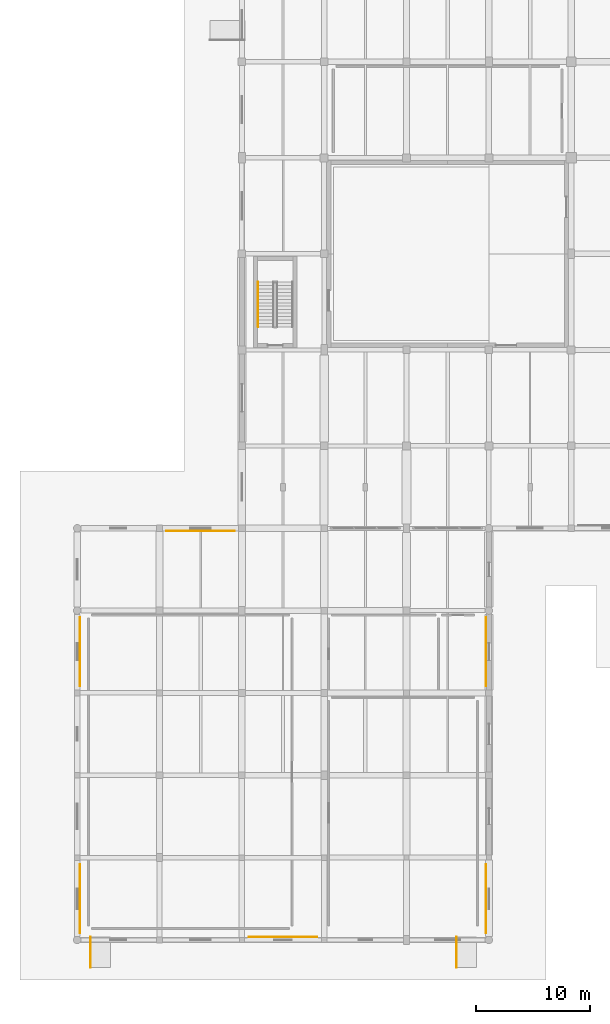
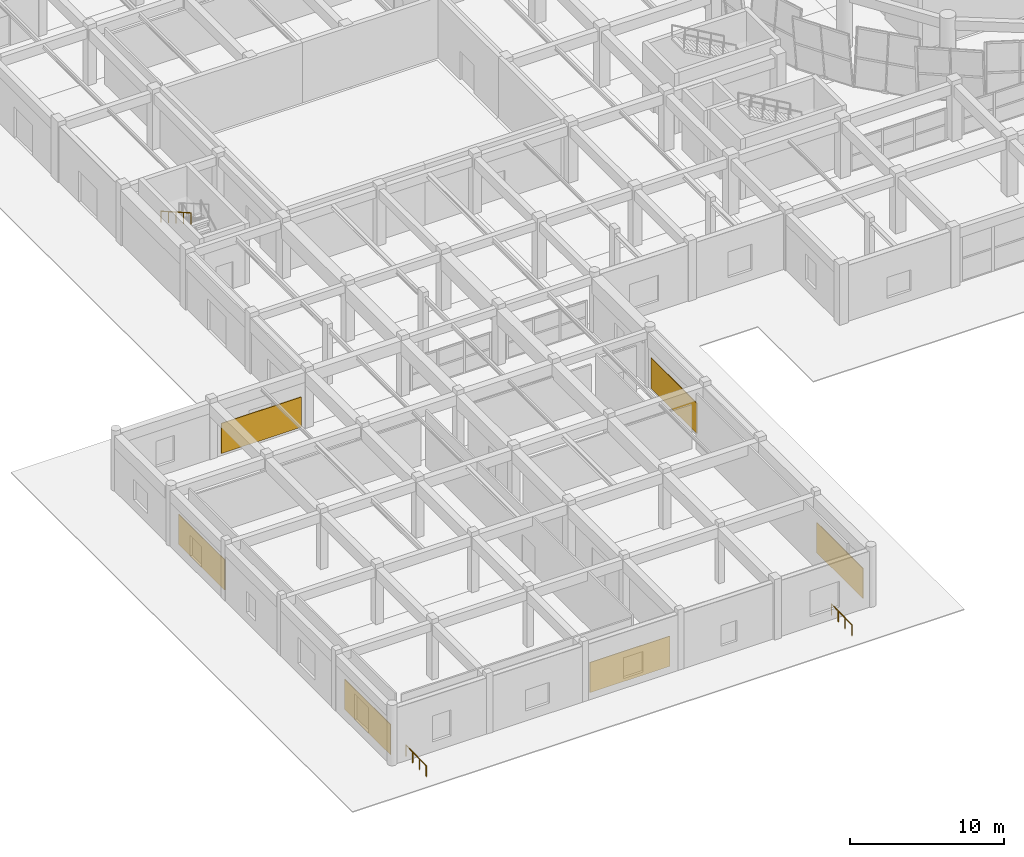
# One storey, part 57 of 72: 6 coverings, 3 railings.
"""IFC4 building model written with IfcOpenShell, lengths in metres."""

from ifc_helpers import new_model, si_unit, direction, frame, origin, origin_2d, place, context, subcontext, project, spatial, rectangle, circle, extrude, material, layer, layer_set, type_object, element, save


model = new_model("IFC4")

# Units and contexts
model_context = context("Model", 3, precision=1e-05, world=origin(), true_north=direction((0.0, 1.0)))
body_context = subcontext(model_context, "Body", "Model", "MODEL_VIEW")
ifc_project = project(units=[si_unit("LENGTHUNIT", "METRE"), si_unit("AREAUNIT", "SQUARE_METRE"), si_unit("VOLUMEUNIT", "CUBIC_METRE"), si_unit("PLANEANGLEUNIT", "RADIAN"), si_unit("MASSUNIT", "GRAM", prefix="KILO")], contexts=[model_context])

# Site, building, storey
site_placement = place(None, origin())
site = spatial("IfcSite", under=ifc_project, at=site_placement, CompositionType="ELEMENT")
building_placement = place(site_placement, origin())
building = spatial("IfcBuilding", under=site, at=building_placement, Name="Korsvaeld Concert Hall", CompositionType="ELEMENT")
storey_placement = place(building_placement, origin())
storey = spatial("IfcBuildingStorey", under=building, at=storey_placement, Name="L00", CompositionType="ELEMENT", Elevation=0.0)

# Coverings
ifc_material_1 = material(Name="Bornholm Nexo rose-red sandstone ashlar cladding", Category="masonry")
ifc_layer = layer(ifc_material_1, 0.050048828125)
ifc_layer_set = layer_set([ifc_layer], Name="Bornholm Nexo rose-red sandstone ashlar cladding")
covering_type = type_object("IfcCoveringType", Name="COV-CLAD-NEXO", PredefinedType="CLADDING", material=ifc_layer_set)
for number, where, z_axis, x_axis, name in (
    (1, (35.7548828125, 25.199951171875, 0.199951171875), (0.0, 0.0, 1.0), (0.0, -1.0, 0.0), "Ventilated Nexo sandstone colonnade cladding 123"),
    (2, (35.7548828125, 3.60009765625, 0.199951171875), (0.0, 0.0, 1.0), (0.0, -1.0, 0.0), "Ventilated Nexo sandstone colonnade cladding 126"),
    (3, (18.0, 0.2451171875, 0.199951171875), (0.0, 0.0, 1.0), (-1.0, 0.0, 0.0), "Ventilated Nexo sandstone colonnade cladding 129"),
    (4, (0.2451171875, 3.60009765625, 0.199951171875), (0.0, 0.0, 1.0), (0.0, 1.0, 0.0), "Ventilated Nexo sandstone colonnade cladding 132"),
    (5, (0.2451171875, 25.199951171875, 0.199951171875), (0.0, 0.0, 1.0), (0.0, 1.0, 0.0), "Ventilated Nexo sandstone colonnade cladding 135"),
    (6, (10.800048828125, 35.7548828125, 0.199951171875), (0.0, 0.0, 1.0), (1.0, 0.0, 0.0), "Ventilated Nexo sandstone colonnade cladding 138"),
):
    element("IfcCovering", number, at=place(storey_placement, frame(where, z_axis=z_axis, x_axis=x_axis)), inside=storey, type_object=covering_type, Name=name, PredefinedType="CLADDING", context=body_context, shape_type="SweptSolid", body=[
        extrude(rectangle(XDim=6.0, YDim=0.050048828125, at=origin_2d()), origin(), (0.0, 0.0, 1.0), 2.39990234375),
    ])

# Railings
ifc_material_2 = material(Name="Anodised architectural bronze handrail")
railing_type_1 = type_object("IfcRailingType", Name="RL-RAMP-HAND-90", PredefinedType="HANDRAIL", material=ifc_material_2)
for number, where, name in (
    (7, (1.179931640625, -2.39990234375, -0.06005859375), "Accessible ramp handrail RMP-SW1"),
    (8, (33.179931640625, -2.39990234375, -0.06005859375), "Accessible ramp handrail RMP-SW2"),
):
    element("IfcRailing", number, at=place(storey_placement, frame(where)), inside=storey, type_object=railing_type_1, Name=name, PredefinedType="HANDRAIL", context=body_context, shape_type="SweptSolid", body=[
        extrude(circle(Radius=0.02392578125, at=origin_2d()), frame((0.0, 0.0, 0.8759765625), z_axis=(0.0, 0.999743260135, 0.022658636631), x_axis=(-1.0, 0.0, 0.0)), (0.0, 0.0, 1.0), 2.650634765625),
        extrude(circle(Radius=0.02099609375, at=origin_2d()), origin(), (0.0, 0.0, 1.0), 0.851806640625),
        extrude(circle(Radius=0.02099609375, at=origin_2d()), frame((0.0, 0.88330078125, 0.02001953125)), (0.0, 0.0, 1.0), 0.851806640625),
        extrude(circle(Radius=0.02099609375, at=origin_2d()), frame((0.0, 1.7666015625, 0.0400390625)), (0.0, 0.0, 1.0), 0.851806640625),
        extrude(circle(Radius=0.02099609375, at=origin_2d()), frame((0.0, 2.64990234375, 0.06005859375)), (0.0, 0.0, 1.0), 0.851806640625),
    ])
ifc_material_3 = material(Name="European oak and bronze stair handrail")
railing_type_2 = type_object("IfcRailingType", Name="RL-STAIR-HAND-90", PredefinedType="HANDRAIL", material=ifc_material_3)
railing_placement = place(storey_placement, frame((15.820068359375, 57.52001953125, 2.571533203125)))
element("IfcRailing", 9, at=railing_placement, inside=storey, type_object=railing_type_2, Name="L00 ST-F3 stair handrail 2", PredefinedType="HANDRAIL", context=body_context, shape_type="SweptSolid", body=[
    extrude(circle(Radius=0.02392578125, at=origin_2d()), frame((0.0, 0.0, 0.8759765625), z_axis=(0.0, -0.868243142124, 0.496138938357), x_axis=(1.0, 0.0, 0.0)), (0.0, 0.0, 1.0), 4.49169921875),
    extrude(circle(Radius=0.02099609375, at=origin_2d()), origin(), (0.0, 0.0, 1.0), 0.851806640625),
    extrude(circle(Radius=0.02099609375, at=origin_2d()), frame((0.0, -0.97509765625, 0.55712890625)), (0.0, 0.0, 1.0), 0.851806640625),
    extrude(circle(Radius=0.02099609375, at=origin_2d()), frame((0.0, -1.949951171875, 1.1142578125)), (0.0, 0.0, 1.0), 0.851806640625),
    extrude(circle(Radius=0.02099609375, at=origin_2d()), frame((0.0, -2.9248046875, 1.67138671875)), (0.0, 0.0, 1.0), 0.851806640625),
    extrude(circle(Radius=0.02099609375, at=origin_2d()), frame((0.0, -3.89990234375, 2.228515625)), (0.0, 0.0, 1.0), 0.851806640625),
])

save(model, "model.ifc")
